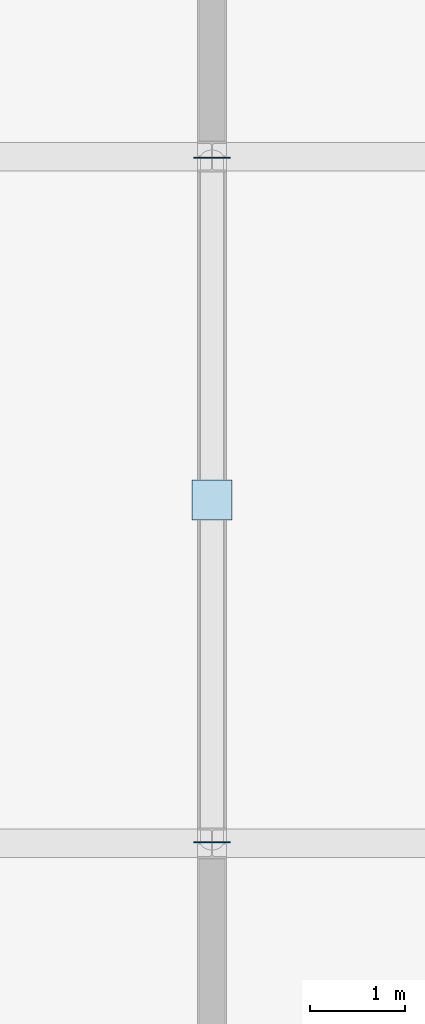
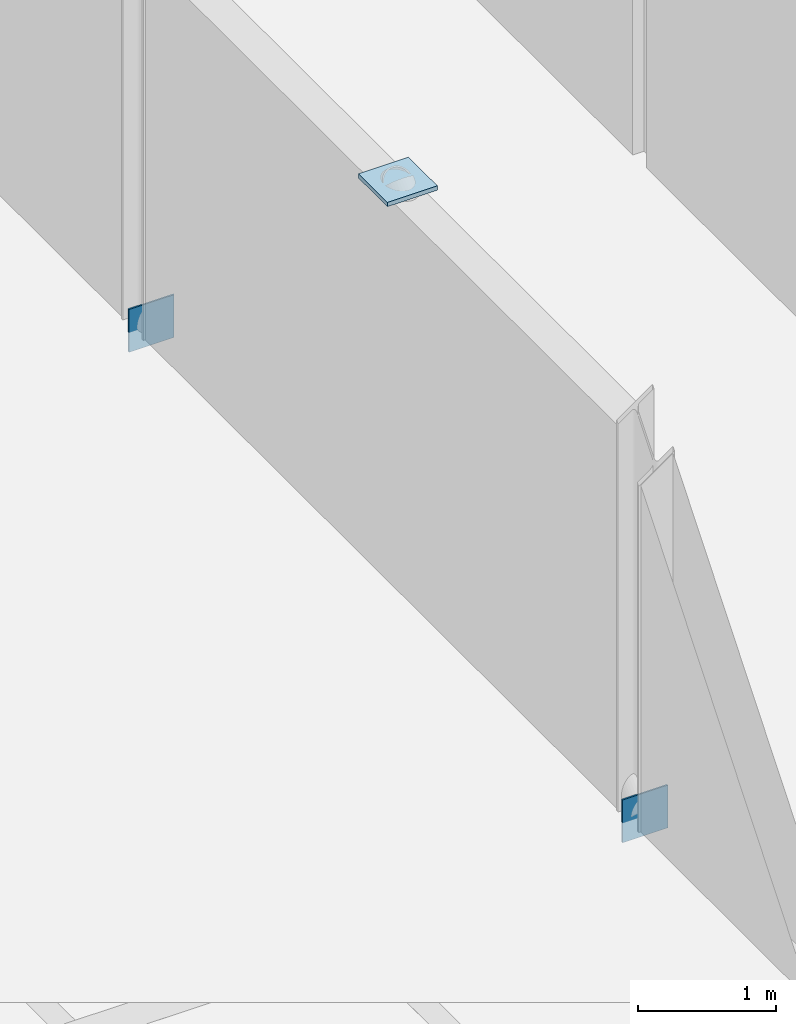
# One storey, part 24 of 44: 3 plates.
"""IFC4 building model written with IfcOpenShell, lengths in metres."""

from ifc_helpers import new_model, si_unit, direction, frame, origin, origin_2d, place, context, subcontext, project, spatial, rectangle, extrude, material, layer, layer_set, type_object, element, save


model = new_model("IFC4")

# Units and contexts
model_context = context("Model", 3, precision=1e-05, world=origin(), true_north=direction((0.0, 1.0)))
body_context = subcontext(model_context, "Body", "Model", "MODEL_VIEW")
ifc_project = project(units=[si_unit("LENGTHUNIT", "METRE"), si_unit("AREAUNIT", "SQUARE_METRE"), si_unit("VOLUMEUNIT", "CUBIC_METRE"), si_unit("PLANEANGLEUNIT", "RADIAN"), si_unit("MASSUNIT", "GRAM", prefix="KILO")], contexts=[model_context])

# Site, building, storey
site_placement = place(None, origin())
site = spatial("IfcSite", under=ifc_project, at=site_placement, CompositionType="ELEMENT")
building_placement = place(site_placement, origin())
building = spatial("IfcBuilding", under=site, at=building_placement, Name="Narikvali Park Central Library", CompositionType="ELEMENT")
storey_placement = place(building_placement, frame((0.0, 0.0, 22.800048828125)))
storey = spatial("IfcBuildingStorey", under=building, at=storey_placement, Name="L05", CompositionType="ELEMENT", Elevation=22.800048828125)

# Plates
ifc_material = material(Name="Steel S355", Category="steel")
ifc_layer_1 = layer(ifc_material, 0.013916015625, Name="Steel S355")
ifc_layer_set_1 = layer_set([ifc_layer_1], Name="Steel S355")
plate_type_1 = type_object("IfcPlateType", Name="Steel Hollow End Cap Plate 14", PredefinedType="SHEET", material=ifc_layer_set_1)
for number, where, z_axis, x_axis, name in (
    (1, (7.199951171875, 72.01220703125, -0.177734375), (0.0, 0.0, 1.0), (-1.0, 0.0, 0.0), "Hollow Section Steel End Cap BR-ECAP-1-L05-A0"),
    (2, (7.199951171875, 79.18798828125, -0.177734375), (0.0, 0.0, 1.0), (1.0, 0.0, 0.0), "Hollow Section Steel End Cap BR-ECAP-1-L05-B0"),
):
    element("IfcPlate", number, at=place(storey_placement, frame(where, z_axis=z_axis, x_axis=x_axis)), inside=storey, type_object=plate_type_1, Name=name, PredefinedType="SHEET", context=body_context, shape_type="SweptSolid", body=[
        extrude(rectangle(XDim=0.3798828125, YDim=0.013916015625, at=origin_2d()), origin(), (0.0, 0.0, 1.0), 0.3798828125),
    ])
ifc_layer_2 = layer(ifc_material, 0.0380859375, Name="Steel S355")
ifc_layer_set_2 = layer_set([ifc_layer_2], Name="Steel S355")
plate_type_2 = type_object("IfcPlateType", Name="Truss Splice Gusset Plate 38", PredefinedType="SHEET", material=ifc_layer_set_2)
plate_placement = place(storey_placement, frame((7.199951171875, 75.60009765625, 3.4208984375), z_axis=(0.0, 0.0, 1.0), x_axis=(1.0, 0.0, 0.0)))
element("IfcPlate", 3, at=plate_placement, inside=storey, type_object=plate_type_2, Name="V5 L05 Chevron Apex Gusset Cap Plate", PredefinedType="SHEET", context=body_context, shape_type="SweptSolid", body=[
    extrude(rectangle(XDim=0.419921875, YDim=0.419921875, at=origin_2d()), origin(), (0.0, 0.0, 1.0), 0.0380859375),
])

save(model, "model.ifc")
